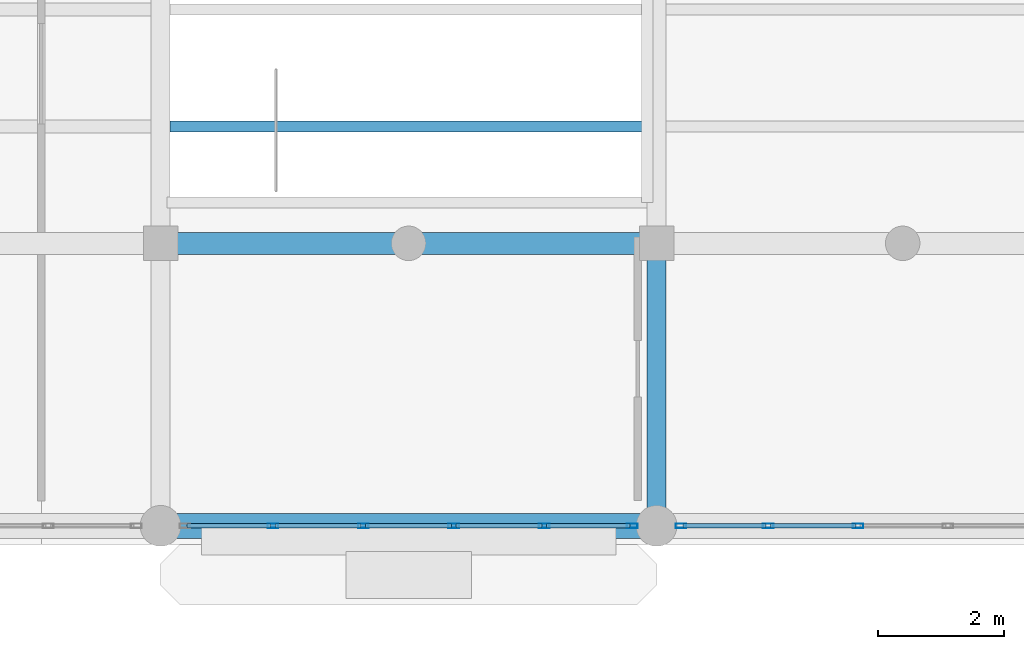
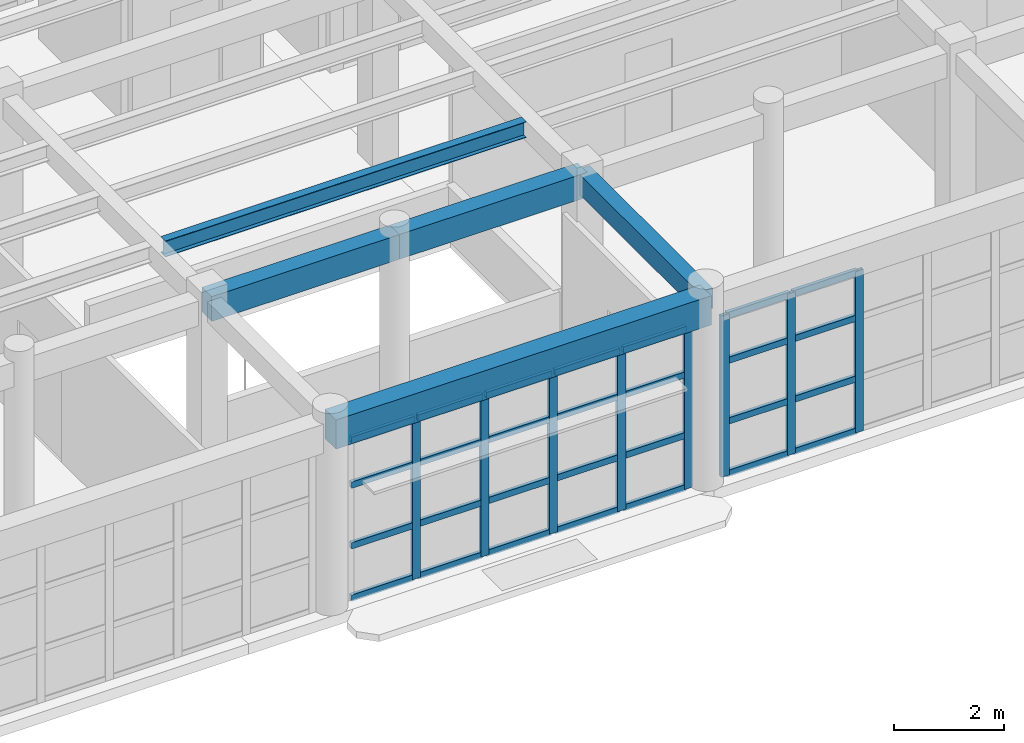
# One storey, part 7 of 85: 36 members, 5 beams, 2 elements without a shape of their own.
"""IFC4 building model written with IfcOpenShell, lengths in metres."""

from ifc_helpers import new_model, si_unit, direction, frame, origin, origin_2d, place, context, subcontext, project, spatial, rectangle, hollow_rectangle, i_section, extrude, material, layer, layer_set, material_profile, profile_set, type_object, element, aggregate, save


model = new_model("IFC4")

# Units and contexts
model_context = context("Model", 3, precision=1e-05, world=origin(), true_north=direction((0.0, 1.0)))
body_context = subcontext(model_context, "Body", "Model", "MODEL_VIEW")
ifc_project = project(units=[si_unit("LENGTHUNIT", "METRE"), si_unit("AREAUNIT", "SQUARE_METRE"), si_unit("VOLUMEUNIT", "CUBIC_METRE"), si_unit("PLANEANGLEUNIT", "RADIAN"), si_unit("MASSUNIT", "GRAM", prefix="KILO")], contexts=[model_context])

# Site, building, storey
site_placement = place(None, origin())
site = spatial("IfcSite", under=ifc_project, at=site_placement, CompositionType="ELEMENT")
building_placement = place(site_placement, origin())
building = spatial("IfcBuilding", under=site, at=building_placement, Name="Candilejo Ridge Gondola Terminal", CompositionType="ELEMENT")
storey_placement = place(building_placement, frame((0.0, 0.0, 4.5)))
storey = spatial("IfcBuildingStorey", under=building, at=storey_placement, Name="L01", CompositionType="ELEMENT", Elevation=4.5)

# Curtain wall, members
ifc_material_1 = material(Name="Anodised aluminium AA 6063-T6", Category="aluminium")
ifc_layer_1 = layer(ifc_material_1, 0.169921875)
ifc_layer_set_1 = layer_set([ifc_layer_1], Name="ARC-CW-CONCOURSE-3600-720X359")
curtain_wall_type_1 = type_object("IfcCurtainWallType", Name="ARC-CW-CONCOURSE-3600-720X359", PredefinedType="NOTDEFINED", material=ifc_layer_set_1)
curtain_wall_1_placement = place(storey_placement, origin())
curtain_wall_1 = element("IfcCurtainWall", 1, at=curtain_wall_1_placement, inside=storey, type_object=curtain_wall_type_1, Name="Curtain wall V1 L01-009", PredefinedType="NOTDEFINED")
ifc_material_2 = material(Name="Anodised aluminium AA 6063-T6", Category="aluminium")
ifc_material_profile_1 = material_profile(ifc_material_2, hollow_rectangle(XDim=0.074951171875, YDim=0.169921875, WallThickness=0.00390625, at=origin_2d()))
ifc_profile_set_1 = profile_set([ifc_material_profile_1], Name="Anodised aluminium AA 6063-T6")
member_type_1 = type_object("IfcMemberType", Name="ARC-CW-MULLION", PredefinedType="MULLION", material=ifc_profile_set_1)
member_1_placement = place(storey_placement, frame((21.889892578125, 6.300048828125, 0.0), z_axis=(0.0, 0.0, 1.0), x_axis=(0.0, 1.0, 0.0)))
member_1 = element("IfcMember", 2, at=member_1_placement, type_object=member_type_1, Name="CW-72X35 mullion 2", PredefinedType="MULLION", context=body_context, shape_type="SweptSolid", body=[
    extrude(hollow_rectangle(XDim=0.074951171875, YDim=0.169921875, WallThickness=0.00390625, at=origin_2d()), origin(), (0.0, 0.0, 1.0), 3.590087890625),
])
member_2_placement = place(storey_placement, frame((23.330078125, 6.300048828125, 0.0), z_axis=(0.0, 0.0, 1.0), x_axis=(0.0, 1.0, 0.0)))
member_2 = element("IfcMember", 3, at=member_2_placement, type_object=member_type_1, Name="CW-72X35 mullion 3", PredefinedType="MULLION", context=body_context, shape_type="SweptSolid", body=[
    extrude(hollow_rectangle(XDim=0.074951171875, YDim=0.169921875, WallThickness=0.00390625, at=origin_2d()), origin(), (0.0, 0.0, 1.0), 3.590087890625),
])
member_3_placement = place(storey_placement, frame((24.77001953125, 6.300048828125, 0.0), z_axis=(0.0, 0.0, 1.0), x_axis=(0.0, 1.0, 0.0)))
member_3 = element("IfcMember", 4, at=member_3_placement, type_object=member_type_1, Name="CW-72X35 mullion 4", PredefinedType="MULLION", context=body_context, shape_type="SweptSolid", body=[
    extrude(hollow_rectangle(XDim=0.074951171875, YDim=0.169921875, WallThickness=0.00390625, at=origin_2d()), origin(), (0.0, 0.0, 1.0), 3.590087890625),
])
member_4_placement = place(storey_placement, frame((26.2099609375, 6.300048828125, 0.0), z_axis=(0.0, 0.0, 1.0), x_axis=(0.0, 1.0, 0.0)))
member_4 = element("IfcMember", 5, at=member_4_placement, type_object=member_type_1, Name="CW-72X35 mullion 5", PredefinedType="MULLION", context=body_context, shape_type="SweptSolid", body=[
    extrude(hollow_rectangle(XDim=0.074951171875, YDim=0.169921875, WallThickness=0.00390625, at=origin_2d()), origin(), (0.0, 0.0, 1.0), 3.590087890625),
])
member_5_placement = place(storey_placement, frame((27.612548828125, 6.300048828125, 0.0), z_axis=(0.0, 0.0, 1.0), x_axis=(0.0, 1.0, 0.0)))
member_5 = element("IfcMember", 6, at=member_5_placement, type_object=member_type_1, Name="CW-72X35 mullion 6", PredefinedType="MULLION", context=body_context, shape_type="SweptSolid", body=[
    extrude(hollow_rectangle(XDim=0.074951171875, YDim=0.169921875, WallThickness=0.00390625, at=origin_2d()), origin(), (0.0, 0.0, 1.0), 3.590087890625),
])

ifc_material_3 = material(Name="Anodised aluminium AA 6063-T6", Category="aluminium")
ifc_layer_2 = layer(ifc_material_3, 0.169921875)
ifc_layer_set_2 = layer_set([ifc_layer_2], Name="ARC-CW-CONCOURSE-3600-715X359")
curtain_wall_type_2 = type_object("IfcCurtainWallType", Name="ARC-CW-CONCOURSE-3600-715X359", PredefinedType="NOTDEFINED", material=ifc_layer_set_2)
curtain_wall_2_placement = place(storey_placement, origin())
curtain_wall_2 = element("IfcCurtainWall", 7, at=curtain_wall_2_placement, inside=storey, type_object=curtain_wall_type_2, Name="Curtain wall V1 L01-013", PredefinedType="NOTDEFINED")
member_6_placement = place(storey_placement, frame((28.387451171875, 6.300048828125, 0.0), z_axis=(0.0, 0.0, 1.0), x_axis=(0.0, 1.0, 0.0)))
member_6 = element("IfcMember", 8, at=member_6_placement, type_object=member_type_1, Name="CW-71X35 mullion 1", PredefinedType="MULLION", context=body_context, shape_type="SweptSolid", body=[
    extrude(hollow_rectangle(XDim=0.074951171875, YDim=0.169921875, WallThickness=0.00390625, at=origin_2d()), origin(), (0.0, 0.0, 1.0), 3.590087890625),
])
member_7_placement = place(storey_placement, frame((29.780029296875, 6.300048828125, 0.0), z_axis=(0.0, 0.0, 1.0), x_axis=(0.0, 1.0, 0.0)))
member_7 = element("IfcMember", 9, at=member_7_placement, type_object=member_type_1, Name="CW-71X35 mullion 2", PredefinedType="MULLION", context=body_context, shape_type="SweptSolid", body=[
    extrude(hollow_rectangle(XDim=0.074951171875, YDim=0.169921875, WallThickness=0.00390625, at=origin_2d()), origin(), (0.0, 0.0, 1.0), 3.590087890625),
])
member_8_placement = place(storey_placement, frame((31.2099609375, 6.300048828125, 0.0), z_axis=(0.0, 0.0, 1.0), x_axis=(0.0, 1.0, 0.0)))
member_8 = element("IfcMember", 10, at=member_8_placement, type_object=member_type_1, Name="CW-71X35 mullion 3", PredefinedType="MULLION", context=body_context, shape_type="SweptSolid", body=[
    extrude(hollow_rectangle(XDim=0.074951171875, YDim=0.169921875, WallThickness=0.00390625, at=origin_2d()), origin(), (0.0, 0.0, 1.0), 3.590087890625),
])

# Member
ifc_material_4 = material(Name="Anodised aluminium AA 6063-T6", Category="aluminium")
ifc_material_profile_2 = material_profile(ifc_material_4, hollow_rectangle(XDim=0.074951171875, YDim=0.139892578125, WallThickness=0.00390625, at=origin_2d()))
ifc_profile_set_2 = profile_set([ifc_material_profile_2], Name="Anodised aluminium AA 6063-T6")
member_type_2 = type_object("IfcMemberType", Name="ARC-CW-TRANSOM", PredefinedType="USERDEFINED", material=ifc_profile_set_2)
member_9_placement = place(storey_placement, frame((20.52490234375, 6.300048828125, 0.03759765625), z_axis=(1.0, 0.0, 0.0), x_axis=(0.0, 1.0, 0.0)))
member_9 = element("IfcMember", 11, at=member_9_placement, type_object=member_type_2, Name="CW-72X35 transom 1.1", ObjectType="TRANSOM", PredefinedType="USERDEFINED", context=body_context, shape_type="SweptSolid", body=[
    extrude(hollow_rectangle(XDim=0.074951171875, YDim=0.139892578125, WallThickness=0.00390625, at=origin_2d()), origin(), (0.0, 0.0, 1.0), 1.32763671875),
])

member_10_placement = place(storey_placement, frame((20.52490234375, 6.300048828125, 1.199951171875), z_axis=(1.0, 0.0, 0.0), x_axis=(0.0, 1.0, 0.0)))
member_10 = element("IfcMember", 12, at=member_10_placement, type_object=member_type_2, Name="CW-72X35 transom 1.2", ObjectType="TRANSOM", PredefinedType="USERDEFINED", context=body_context, shape_type="SweptSolid", body=[
    extrude(hollow_rectangle(XDim=0.074951171875, YDim=0.139892578125, WallThickness=0.00390625, at=origin_2d()), origin(), (0.0, 0.0, 1.0), 1.32763671875),
])

member_11_placement = place(storey_placement, frame((20.52490234375, 6.300048828125, 2.550048828125), z_axis=(1.0, 0.0, 0.0), x_axis=(0.0, 1.0, 0.0)))
member_11 = element("IfcMember", 13, at=member_11_placement, type_object=member_type_2, Name="CW-72X35 transom 1.3", ObjectType="TRANSOM", PredefinedType="USERDEFINED", context=body_context, shape_type="SweptSolid", body=[
    extrude(hollow_rectangle(XDim=0.074951171875, YDim=0.139892578125, WallThickness=0.00390625, at=origin_2d()), origin(), (0.0, 0.0, 1.0), 1.32763671875),
])

member_12_placement = place(storey_placement, frame((20.52490234375, 6.300048828125, 3.552490234375), z_axis=(1.0, 0.0, 0.0), x_axis=(0.0, 1.0, 0.0)))
member_12 = element("IfcMember", 14, at=member_12_placement, type_object=member_type_2, Name="CW-72X35 transom 1.4", ObjectType="TRANSOM", PredefinedType="USERDEFINED", context=body_context, shape_type="SweptSolid", body=[
    extrude(hollow_rectangle(XDim=0.074951171875, YDim=0.139892578125, WallThickness=0.00390625, at=origin_2d()), origin(), (0.0, 0.0, 1.0), 1.32763671875),
])

member_13_placement = place(storey_placement, frame((21.927490234375, 6.300048828125, 0.03759765625), z_axis=(1.0, 0.0, 0.0), x_axis=(0.0, 1.0, 0.0)))
member_13 = element("IfcMember", 15, at=member_13_placement, type_object=member_type_2, Name="CW-72X35 transom 2.1", ObjectType="TRANSOM", PredefinedType="USERDEFINED", context=body_context, shape_type="SweptSolid", body=[
    extrude(hollow_rectangle(XDim=0.074951171875, YDim=0.139892578125, WallThickness=0.00390625, at=origin_2d()), origin(), (0.0, 0.0, 1.0), 1.364990234375),
])

member_14_placement = place(storey_placement, frame((21.927490234375, 6.300048828125, 1.199951171875), z_axis=(1.0, 0.0, 0.0), x_axis=(0.0, 1.0, 0.0)))
member_14 = element("IfcMember", 16, at=member_14_placement, type_object=member_type_2, Name="CW-72X35 transom 2.2", ObjectType="TRANSOM", PredefinedType="USERDEFINED", context=body_context, shape_type="SweptSolid", body=[
    extrude(hollow_rectangle(XDim=0.074951171875, YDim=0.139892578125, WallThickness=0.00390625, at=origin_2d()), origin(), (0.0, 0.0, 1.0), 1.364990234375),
])

member_15_placement = place(storey_placement, frame((21.927490234375, 6.300048828125, 2.550048828125), z_axis=(1.0, 0.0, 0.0), x_axis=(0.0, 1.0, 0.0)))
member_15 = element("IfcMember", 17, at=member_15_placement, type_object=member_type_2, Name="CW-72X35 transom 2.3", ObjectType="TRANSOM", PredefinedType="USERDEFINED", context=body_context, shape_type="SweptSolid", body=[
    extrude(hollow_rectangle(XDim=0.074951171875, YDim=0.139892578125, WallThickness=0.00390625, at=origin_2d()), origin(), (0.0, 0.0, 1.0), 1.364990234375),
])

member_16_placement = place(storey_placement, frame((21.927490234375, 6.300048828125, 3.552490234375), z_axis=(1.0, 0.0, 0.0), x_axis=(0.0, 1.0, 0.0)))
member_16 = element("IfcMember", 18, at=member_16_placement, type_object=member_type_2, Name="CW-72X35 transom 2.4", ObjectType="TRANSOM", PredefinedType="USERDEFINED", context=body_context, shape_type="SweptSolid", body=[
    extrude(hollow_rectangle(XDim=0.074951171875, YDim=0.139892578125, WallThickness=0.00390625, at=origin_2d()), origin(), (0.0, 0.0, 1.0), 1.364990234375),
])

member_17_placement = place(storey_placement, frame((23.367431640625, 6.300048828125, 0.03759765625), z_axis=(1.0, 0.0, 0.0), x_axis=(0.0, 1.0, 0.0)))
member_17 = element("IfcMember", 19, at=member_17_placement, type_object=member_type_2, Name="CW-72X35 transom 3.1", ObjectType="TRANSOM", PredefinedType="USERDEFINED", context=body_context, shape_type="SweptSolid", body=[
    extrude(hollow_rectangle(XDim=0.074951171875, YDim=0.139892578125, WallThickness=0.00390625, at=origin_2d()), origin(), (0.0, 0.0, 1.0), 1.364990234375),
])

member_18_placement = place(storey_placement, frame((23.367431640625, 6.300048828125, 1.199951171875), z_axis=(1.0, 0.0, 0.0), x_axis=(0.0, 1.0, 0.0)))
member_18 = element("IfcMember", 20, at=member_18_placement, type_object=member_type_2, Name="CW-72X35 transom 3.2", ObjectType="TRANSOM", PredefinedType="USERDEFINED", context=body_context, shape_type="SweptSolid", body=[
    extrude(hollow_rectangle(XDim=0.074951171875, YDim=0.139892578125, WallThickness=0.00390625, at=origin_2d()), origin(), (0.0, 0.0, 1.0), 1.364990234375),
])

member_19_placement = place(storey_placement, frame((23.367431640625, 6.300048828125, 2.550048828125), z_axis=(1.0, 0.0, 0.0), x_axis=(0.0, 1.0, 0.0)))
member_19 = element("IfcMember", 21, at=member_19_placement, type_object=member_type_2, Name="CW-72X35 transom 3.3", ObjectType="TRANSOM", PredefinedType="USERDEFINED", context=body_context, shape_type="SweptSolid", body=[
    extrude(hollow_rectangle(XDim=0.074951171875, YDim=0.139892578125, WallThickness=0.00390625, at=origin_2d()), origin(), (0.0, 0.0, 1.0), 1.364990234375),
])

member_20_placement = place(storey_placement, frame((23.367431640625, 6.300048828125, 3.552490234375), z_axis=(1.0, 0.0, 0.0), x_axis=(0.0, 1.0, 0.0)))
member_20 = element("IfcMember", 22, at=member_20_placement, type_object=member_type_2, Name="CW-72X35 transom 3.4", ObjectType="TRANSOM", PredefinedType="USERDEFINED", context=body_context, shape_type="SweptSolid", body=[
    extrude(hollow_rectangle(XDim=0.074951171875, YDim=0.139892578125, WallThickness=0.00390625, at=origin_2d()), origin(), (0.0, 0.0, 1.0), 1.364990234375),
])

member_21_placement = place(storey_placement, frame((24.8076171875, 6.300048828125, 0.03759765625), z_axis=(1.0, 0.0, 0.0), x_axis=(0.0, 1.0, 0.0)))
member_21 = element("IfcMember", 23, at=member_21_placement, type_object=member_type_2, Name="CW-72X35 transom 4.1", ObjectType="TRANSOM", PredefinedType="USERDEFINED", context=body_context, shape_type="SweptSolid", body=[
    extrude(hollow_rectangle(XDim=0.074951171875, YDim=0.139892578125, WallThickness=0.00390625, at=origin_2d()), origin(), (0.0, 0.0, 1.0), 1.364990234375),
])

member_22_placement = place(storey_placement, frame((24.8076171875, 6.300048828125, 1.199951171875), z_axis=(1.0, 0.0, 0.0), x_axis=(0.0, 1.0, 0.0)))
member_22 = element("IfcMember", 24, at=member_22_placement, type_object=member_type_2, Name="CW-72X35 transom 4.2", ObjectType="TRANSOM", PredefinedType="USERDEFINED", context=body_context, shape_type="SweptSolid", body=[
    extrude(hollow_rectangle(XDim=0.074951171875, YDim=0.139892578125, WallThickness=0.00390625, at=origin_2d()), origin(), (0.0, 0.0, 1.0), 1.364990234375),
])

member_23_placement = place(storey_placement, frame((24.8076171875, 6.300048828125, 2.550048828125), z_axis=(1.0, 0.0, 0.0), x_axis=(0.0, 1.0, 0.0)))
member_23 = element("IfcMember", 25, at=member_23_placement, type_object=member_type_2, Name="CW-72X35 transom 4.3", ObjectType="TRANSOM", PredefinedType="USERDEFINED", context=body_context, shape_type="SweptSolid", body=[
    extrude(hollow_rectangle(XDim=0.074951171875, YDim=0.139892578125, WallThickness=0.00390625, at=origin_2d()), origin(), (0.0, 0.0, 1.0), 1.364990234375),
])

member_24_placement = place(storey_placement, frame((24.8076171875, 6.300048828125, 3.552490234375), z_axis=(1.0, 0.0, 0.0), x_axis=(0.0, 1.0, 0.0)))
member_24 = element("IfcMember", 26, at=member_24_placement, type_object=member_type_2, Name="CW-72X35 transom 4.4", ObjectType="TRANSOM", PredefinedType="USERDEFINED", context=body_context, shape_type="SweptSolid", body=[
    extrude(hollow_rectangle(XDim=0.074951171875, YDim=0.139892578125, WallThickness=0.00390625, at=origin_2d()), origin(), (0.0, 0.0, 1.0), 1.364990234375),
])

member_25_placement = place(storey_placement, frame((26.24755859375, 6.300048828125, 0.03759765625), z_axis=(1.0, 0.0, 0.0), x_axis=(0.0, 1.0, 0.0)))
member_25 = element("IfcMember", 27, at=member_25_placement, type_object=member_type_2, Name="CW-72X35 transom 5.1", ObjectType="TRANSOM", PredefinedType="USERDEFINED", context=body_context, shape_type="SweptSolid", body=[
    extrude(hollow_rectangle(XDim=0.074951171875, YDim=0.139892578125, WallThickness=0.00390625, at=origin_2d()), origin(), (0.0, 0.0, 1.0), 1.327392578125),
])

member_26_placement = place(storey_placement, frame((26.24755859375, 6.300048828125, 1.199951171875), z_axis=(1.0, 0.0, 0.0), x_axis=(0.0, 1.0, 0.0)))
member_26 = element("IfcMember", 28, at=member_26_placement, type_object=member_type_2, Name="CW-72X35 transom 5.2", ObjectType="TRANSOM", PredefinedType="USERDEFINED", context=body_context, shape_type="SweptSolid", body=[
    extrude(hollow_rectangle(XDim=0.074951171875, YDim=0.139892578125, WallThickness=0.00390625, at=origin_2d()), origin(), (0.0, 0.0, 1.0), 1.327392578125),
])

member_27_placement = place(storey_placement, frame((26.24755859375, 6.300048828125, 2.550048828125), z_axis=(1.0, 0.0, 0.0), x_axis=(0.0, 1.0, 0.0)))
member_27 = element("IfcMember", 29, at=member_27_placement, type_object=member_type_2, Name="CW-72X35 transom 5.3", ObjectType="TRANSOM", PredefinedType="USERDEFINED", context=body_context, shape_type="SweptSolid", body=[
    extrude(hollow_rectangle(XDim=0.074951171875, YDim=0.139892578125, WallThickness=0.00390625, at=origin_2d()), origin(), (0.0, 0.0, 1.0), 1.327392578125),
])

member_28_placement = place(storey_placement, frame((26.24755859375, 6.300048828125, 3.552490234375), z_axis=(1.0, 0.0, 0.0), x_axis=(0.0, 1.0, 0.0)))
member_28 = element("IfcMember", 30, at=member_28_placement, type_object=member_type_2, Name="CW-72X35 transom 5.4", ObjectType="TRANSOM", PredefinedType="USERDEFINED", context=body_context, shape_type="SweptSolid", body=[
    extrude(hollow_rectangle(XDim=0.074951171875, YDim=0.139892578125, WallThickness=0.00390625, at=origin_2d()), origin(), (0.0, 0.0, 1.0), 1.327392578125),
])

aggregate(curtain_wall_1, [member_1, member_2, member_3, member_4, member_5, member_9, member_10, member_11, member_12, member_13, member_14, member_15, member_16, member_17, member_18, member_19, member_20, member_21, member_22, member_23, member_24, member_25, member_26, member_27, member_28])

member_29_placement = place(storey_placement, frame((28.425048828125, 6.300048828125, 0.03759765625), z_axis=(1.0, 0.0, 0.0), x_axis=(0.0, 1.0, 0.0)))
member_29 = element("IfcMember", 31, at=member_29_placement, type_object=member_type_2, Name="CW-71X35 transom 1.1", ObjectType="TRANSOM", PredefinedType="USERDEFINED", context=body_context, shape_type="SweptSolid", body=[
    extrude(hollow_rectangle(XDim=0.074951171875, YDim=0.139892578125, WallThickness=0.00390625, at=origin_2d()), origin(), (0.0, 0.0, 1.0), 1.3173828125),
])

member_30_placement = place(storey_placement, frame((28.425048828125, 6.300048828125, 1.199951171875), z_axis=(1.0, 0.0, 0.0), x_axis=(0.0, 1.0, 0.0)))
member_30 = element("IfcMember", 32, at=member_30_placement, type_object=member_type_2, Name="CW-71X35 transom 1.2", ObjectType="TRANSOM", PredefinedType="USERDEFINED", context=body_context, shape_type="SweptSolid", body=[
    extrude(hollow_rectangle(XDim=0.074951171875, YDim=0.139892578125, WallThickness=0.00390625, at=origin_2d()), origin(), (0.0, 0.0, 1.0), 1.3173828125),
])

member_31_placement = place(storey_placement, frame((28.425048828125, 6.300048828125, 2.550048828125), z_axis=(1.0, 0.0, 0.0), x_axis=(0.0, 1.0, 0.0)))
member_31 = element("IfcMember", 33, at=member_31_placement, type_object=member_type_2, Name="CW-71X35 transom 1.3", ObjectType="TRANSOM", PredefinedType="USERDEFINED", context=body_context, shape_type="SweptSolid", body=[
    extrude(hollow_rectangle(XDim=0.074951171875, YDim=0.139892578125, WallThickness=0.00390625, at=origin_2d()), origin(), (0.0, 0.0, 1.0), 1.3173828125),
])

member_32_placement = place(storey_placement, frame((28.425048828125, 6.300048828125, 3.552490234375), z_axis=(1.0, 0.0, 0.0), x_axis=(0.0, 1.0, 0.0)))
member_32 = element("IfcMember", 34, at=member_32_placement, type_object=member_type_2, Name="CW-71X35 transom 1.4", ObjectType="TRANSOM", PredefinedType="USERDEFINED", context=body_context, shape_type="SweptSolid", body=[
    extrude(hollow_rectangle(XDim=0.074951171875, YDim=0.139892578125, WallThickness=0.00390625, at=origin_2d()), origin(), (0.0, 0.0, 1.0), 1.3173828125),
])

member_33_placement = place(storey_placement, frame((29.8173828125, 6.300048828125, 0.03759765625), z_axis=(1.0, 0.0, 0.0), x_axis=(0.0, 1.0, 0.0)))
member_33 = element("IfcMember", 35, at=member_33_placement, type_object=member_type_2, Name="CW-71X35 transom 2.1", ObjectType="TRANSOM", PredefinedType="USERDEFINED", context=body_context, shape_type="SweptSolid", body=[
    extrude(hollow_rectangle(XDim=0.074951171875, YDim=0.139892578125, WallThickness=0.00390625, at=origin_2d()), origin(), (0.0, 0.0, 1.0), 1.355224609375),
])

member_34_placement = place(storey_placement, frame((29.8173828125, 6.300048828125, 1.199951171875), z_axis=(1.0, 0.0, 0.0), x_axis=(0.0, 1.0, 0.0)))
member_34 = element("IfcMember", 36, at=member_34_placement, type_object=member_type_2, Name="CW-71X35 transom 2.2", ObjectType="TRANSOM", PredefinedType="USERDEFINED", context=body_context, shape_type="SweptSolid", body=[
    extrude(hollow_rectangle(XDim=0.074951171875, YDim=0.139892578125, WallThickness=0.00390625, at=origin_2d()), origin(), (0.0, 0.0, 1.0), 1.355224609375),
])

member_35_placement = place(storey_placement, frame((29.8173828125, 6.300048828125, 2.550048828125), z_axis=(1.0, 0.0, 0.0), x_axis=(0.0, 1.0, 0.0)))
member_35 = element("IfcMember", 37, at=member_35_placement, type_object=member_type_2, Name="CW-71X35 transom 2.3", ObjectType="TRANSOM", PredefinedType="USERDEFINED", context=body_context, shape_type="SweptSolid", body=[
    extrude(hollow_rectangle(XDim=0.074951171875, YDim=0.139892578125, WallThickness=0.00390625, at=origin_2d()), origin(), (0.0, 0.0, 1.0), 1.355224609375),
])

member_36_placement = place(storey_placement, frame((29.8173828125, 6.300048828125, 3.552490234375), z_axis=(1.0, 0.0, 0.0), x_axis=(0.0, 1.0, 0.0)))
member_36 = element("IfcMember", 38, at=member_36_placement, type_object=member_type_2, Name="CW-71X35 transom 2.4", ObjectType="TRANSOM", PredefinedType="USERDEFINED", context=body_context, shape_type="SweptSolid", body=[
    extrude(hollow_rectangle(XDim=0.074951171875, YDim=0.139892578125, WallThickness=0.00390625, at=origin_2d()), origin(), (0.0, 0.0, 1.0), 1.355224609375),
])

aggregate(curtain_wall_2, [member_6, member_7, member_8, member_29, member_30, member_31, member_32, member_33, member_34, member_35, member_36])

# Beams
ifc_material_5 = material(Name="Concrete f'c 35 MPa (C35/45)", Category="concrete")
ifc_material_profile_3 = material_profile(ifc_material_5, rectangle(XDim=0.300048828125, YDim=0.449951171875, at=origin_2d()))
ifc_profile_set_3 = profile_set([ifc_material_profile_3], Name="Concrete f'c 35 MPa (C35/45)")
beam_type_1 = type_object("IfcBeamType", Name="STR-BM-RC300X450", PredefinedType="BEAM", material=ifc_profile_set_3)
beam_1_placement = place(storey_placement, frame((28.0, 6.300048828125, 4.02490234375), z_axis=(0.0, 1.0, 0.0), x_axis=(-1.0, 0.0, 0.0)))
element("IfcBeam", 39, at=beam_1_placement, inside=storey, type_object=beam_type_1, Name="Beam Y V1 L01 Y01-Y02@X04", PredefinedType="BEAM", context=body_context, shape_type="SweptSolid", body=[
    extrude(rectangle(XDim=0.300048828125, YDim=0.449951171875, at=origin_2d()), origin(), (0.0, 0.0, 1.0), 4.5),
])
ifc_material_6 = material(Name="Concrete f'c 35 MPa (C35/45)", Category="concrete")
ifc_material_profile_4 = material_profile(ifc_material_6, rectangle(XDim=0.35009765625, YDim=0.550048828125, at=origin_2d()))
ifc_profile_set_4 = profile_set([ifc_material_profile_4], Name="Concrete f'c 35 MPa (C35/45)")
beam_type_2 = type_object("IfcBeamType", Name="STR-BM-RC350X550", PredefinedType="BEAM", material=ifc_profile_set_4)
for number, where, z_axis, x_axis, name in (
    (40, (20.10009765625, 10.800048828125, 3.97509765625), (1.0, 0.0, 0.0), (0.0, 1.0, 0.0), "Beam X V1 L01 X03-X04@Y02"),
    (41, (24.050048828125, 10.800048828125, 3.97509765625), (1.0, 0.0, 0.0), (0.0, 1.0, 0.0), "Beam X V1 L01 X03-X04@Y02"),
):
    element("IfcBeam", number, at=place(storey_placement, frame(where, z_axis=z_axis, x_axis=x_axis)), inside=storey, type_object=beam_type_2, Name=name, PredefinedType="BEAM", context=body_context, shape_type="SweptSolid", body=[
        extrude(rectangle(XDim=0.35009765625, YDim=0.550048828125, at=origin_2d()), origin(), (0.0, 0.0, 1.0), 3.949951171875),
    ])
ifc_material_7 = material(Name="Steel ASTM A992 Grade 50", Category="steel")
ifc_material_profile_5 = material_profile(ifc_material_7, i_section(OverallWidth=0.1708984375, OverallDepth=0.35498046875, WebThickness=0.007080078125, FlangeThickness=0.01171875, at=origin_2d()))
ifc_profile_set_5 = profile_set([ifc_material_profile_5], Name="Steel ASTM A992 Grade 50")
beam_type_3 = type_object("IfcBeamType", Name="STR-JST-W360X51", PredefinedType="JOIST", material=ifc_profile_set_5)
beam_2_placement = place(storey_placement, frame((20.25, 12.66259765625, 4.072509765625), z_axis=(1.0, 0.0, 0.0), x_axis=(0.0, 1.0, 0.0)))
element("IfcBeam", 42, at=beam_2_placement, inside=storey, type_object=beam_type_3, Name="Composite joist V1 L01-0125", PredefinedType="JOIST", context=body_context, shape_type="SweptSolid", body=[
    extrude(i_section(OverallWidth=0.1708984375, OverallDepth=0.35498046875, WebThickness=0.007080078125, FlangeThickness=0.01171875, at=origin_2d()), origin(), (0.0, 0.0, 1.0), 7.60009765625),
])
ifc_material_8 = material(Name="Concrete f'c 35 MPa (C35/45)", Category="concrete")
ifc_material_profile_6 = material_profile(ifc_material_8, rectangle(XDim=0.39990234375, YDim=0.64990234375, at=origin_2d()))
ifc_profile_set_6 = profile_set([ifc_material_profile_6], Name="Concrete f'c 35 MPa (C35/45)")
beam_type_4 = type_object("IfcBeamType", Name="STR-SPN-RC400X650", PredefinedType="SPANDREL", material=ifc_profile_set_6)
beam_3_placement = place(storey_placement, frame((20.10009765625, 6.300048828125, 3.925048828125), z_axis=(1.0, 0.0, 0.0), x_axis=(0.0, 1.0, 0.0)))
element("IfcBeam", 43, at=beam_3_placement, inside=storey, type_object=beam_type_4, Name="Beam X V1 L01 X03-X04@Y01", PredefinedType="SPANDREL", context=body_context, shape_type="SweptSolid", body=[
    extrude(rectangle(XDim=0.39990234375, YDim=0.64990234375, at=origin_2d()), origin(), (0.0, 0.0, 1.0), 7.89990234375),
])

save(model, "model.ifc")
